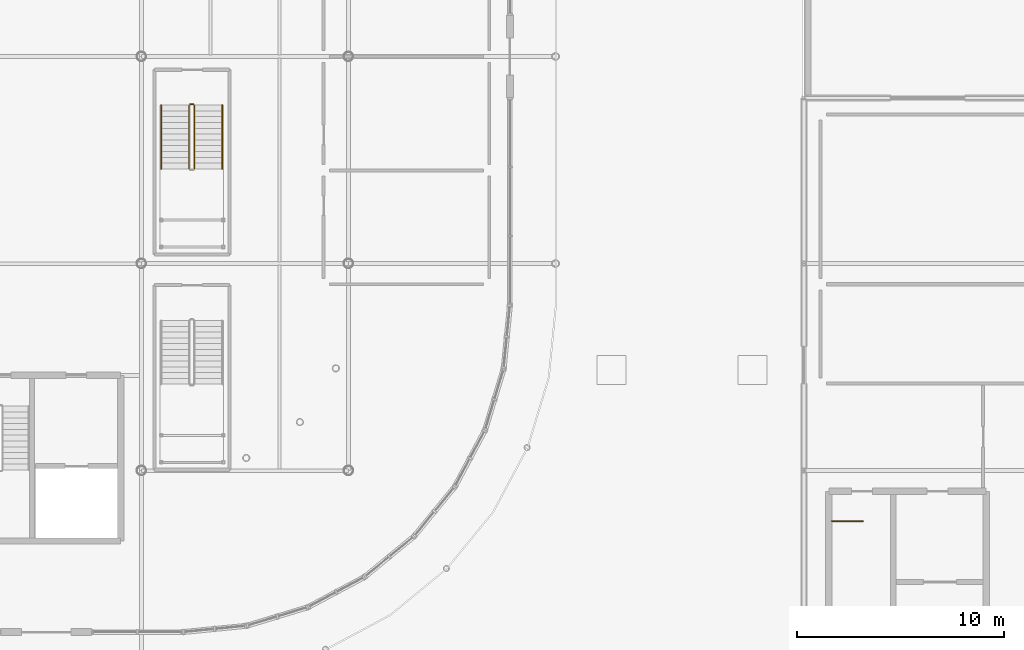
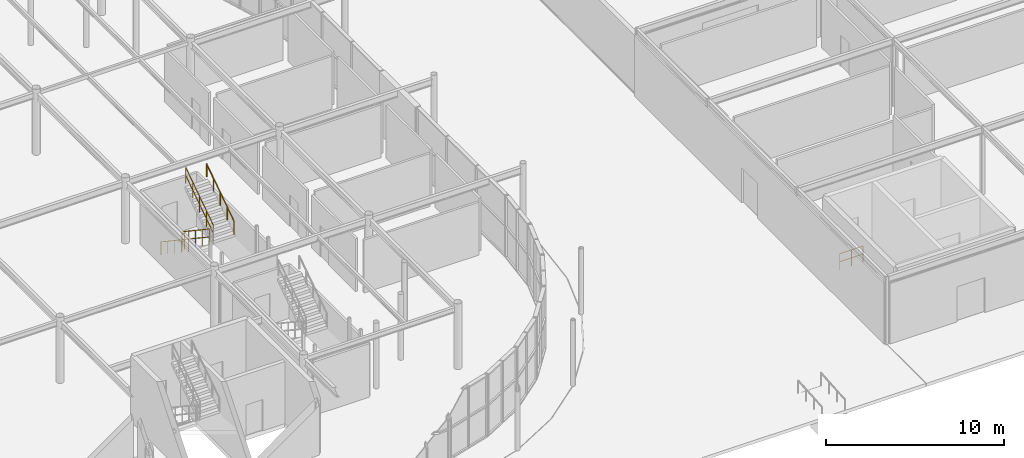
# One storey, part 113 of 119: 6 railings.
"""IFC4 building model written with IfcOpenShell, lengths in metres."""

from ifc_helpers import new_model, si_unit, derived_unit, direction, frame, origin, origin_2d_with_axis, place, context, subcontext, project, spatial, circle, extrude, material, layer, layer_set, type_object, element, save


model = new_model("IFC4")

# Units and contexts
model_context = context("Model", 3, precision=1e-05, world=origin(), true_north=direction((0.0, 1.0)))
body_context = subcontext(model_context, "Body", "Model", "MODEL_VIEW")
ifc_project = project(units=[si_unit("LENGTHUNIT", "METRE"), si_unit("AREAUNIT", "SQUARE_METRE"), si_unit("VOLUMEUNIT", "CUBIC_METRE"), si_unit("PLANEANGLEUNIT", "RADIAN"), si_unit("MASSUNIT", "GRAM", prefix="KILO"), derived_unit("THERMALTRANSMITTANCEUNIT", [(si_unit("POWERUNIT", "WATT"), 1), (si_unit("LENGTHUNIT", "METRE"), -2), (si_unit("THERMODYNAMICTEMPERATUREUNIT", "KELVIN"), -1)])], contexts=[model_context])

# Site, building, storey
site_placement = place(None, origin())
site = spatial("IfcSite", under=ifc_project, at=site_placement, CompositionType="ELEMENT")
building_placement = place(site_placement, origin())
building = spatial("IfcBuilding", under=site, at=building_placement, Name="Cinnabar Yard Market Hall", CompositionType="ELEMENT")
storey_placement = place(building_placement, origin())
storey = spatial("IfcBuildingStorey", under=building, at=storey_placement, Name="L00", CompositionType="ELEMENT", Elevation=0.0)

# Railings
ifc_material_1 = material(Name="Laminated glass and bronze handrail", Category="glass")
ifc_layer_1 = layer(ifc_material_1, 0.070068359375)
ifc_layer_set_1 = layer_set([ifc_layer_1], Name="Laminated glass and bronze handrail")
railing_type_1 = type_object("IfcRailingType", Name="RL-G01", PredefinedType="BALUSTRADE", material=ifc_layer_set_1)
railing_1_placement = place(storey_placement, frame((148.300048828125, 41.64990234375, 0.1875)))
element("IfcRailing", 1, at=railing_1_placement, inside=storey, type_object=railing_type_1, Name="L00 ST-F2 stair guard 1", PredefinedType="BALUSTRADE", context=body_context, shape_type="SweptSolid", body=[
    extrude(circle(Radius=0.02392578125, at=origin_2d_with_axis()), frame((0.0, 0.0, 1.09619140625), z_axis=(0.0, -0.830893310487, 0.556431762742), x_axis=(1.0, 0.0, 0.0)), (0.0, 0.0, 1.0), 3.70654296875),
    extrude(circle(Radius=0.02392578125, at=origin_2d_with_axis()), frame((0.0, 0.0, 0.550048828125), z_axis=(0.0, -0.830893310487, 0.556431762742), x_axis=(1.0, 0.0, 0.0)), (0.0, 0.0, 1.0), 3.70654296875),
    extrude(circle(Radius=0.02099609375, at=origin_2d_with_axis()), origin(), (0.0, 0.0, 1.0), 1.072021484375),
    extrude(circle(Radius=0.02099609375, at=origin_2d_with_axis()), frame((0.0, -0.77001953125, 0.515625)), (0.0, 0.0, 1.0), 1.072021484375),
    extrude(circle(Radius=0.02099609375, at=origin_2d_with_axis()), frame((0.0, -1.5400390625, 1.03125)), (0.0, 0.0, 1.0), 1.072021484375),
    extrude(circle(Radius=0.02099609375, at=origin_2d_with_axis()), frame((0.0, -2.309814453125, 1.546875)), (0.0, 0.0, 1.0), 1.072021484375),
    extrude(circle(Radius=0.02099609375, at=origin_2d_with_axis()), frame((0.0, -3.079833984375, 2.0625)), (0.0, 0.0, 1.0), 1.072021484375),
])
railing_2_placement = place(storey_placement, frame((148.56005859375, 38.570068359375, 2.4375)))
element("IfcRailing", 2, at=railing_2_placement, inside=storey, type_object=railing_type_1, Name="L00 ST-F2 stair guard 3", PredefinedType="BALUSTRADE", context=body_context, shape_type="SweptSolid", body=[
    extrude(circle(Radius=0.02392578125, at=origin_2d_with_axis()), frame((0.0, 0.0, 1.09619140625), z_axis=(0.0, 0.830893310487, 0.556431762742), x_axis=(-1.0, 0.0, 0.0)), (0.0, 0.0, 1.0), 3.70654296875),
    extrude(circle(Radius=0.02392578125, at=origin_2d_with_axis()), frame((0.0, 0.0, 0.550048828125), z_axis=(0.0, 0.830893310487, 0.556431762742), x_axis=(-1.0, 0.0, 0.0)), (0.0, 0.0, 1.0), 3.70654296875),
    extrude(circle(Radius=0.02099609375, at=origin_2d_with_axis()), origin(), (0.0, 0.0, 1.0), 1.072021484375),
    extrude(circle(Radius=0.02099609375, at=origin_2d_with_axis()), frame((0.0, 0.77001953125, 0.515625)), (0.0, 0.0, 1.0), 1.072021484375),
    extrude(circle(Radius=0.02099609375, at=origin_2d_with_axis()), frame((0.0, 1.5400390625, 1.03125)), (0.0, 0.0, 1.0), 1.072021484375),
    extrude(circle(Radius=0.02099609375, at=origin_2d_with_axis()), frame((0.0, 2.309814453125, 1.546875)), (0.0, 0.0, 1.0), 1.072021484375),
    extrude(circle(Radius=0.02099609375, at=origin_2d_with_axis()), frame((0.0, 3.079833984375, 2.0625)), (0.0, 0.0, 1.0), 1.072021484375),
])
railing_3_placement = place(storey_placement, frame((148.35009765625, 41.699951171875, 0.0)))
element("IfcRailing", 3, at=railing_3_placement, inside=storey, type_object=railing_type_1, Name="L00 ST-F2 stair guard 4", PredefinedType="BALUSTRADE", context=body_context, shape_type="SweptSolid", body=[
    extrude(circle(Radius=0.02392578125, at=origin_2d_with_axis()), frame((0.0, 0.0, 1.09619140625), z_axis=(1.0, 0.0, 0.0), x_axis=(0.0, 1.0, 0.0)), (0.0, 0.0, 1.0), 0.159912109375),
    extrude(circle(Radius=0.02392578125, at=origin_2d_with_axis()), frame((0.0, 0.0, 0.550048828125), z_axis=(1.0, 0.0, 0.0), x_axis=(0.0, 1.0, 0.0)), (0.0, 0.0, 1.0), 0.159912109375),
    extrude(circle(Radius=0.02099609375, at=origin_2d_with_axis()), origin(), (0.0, 0.0, 1.0), 1.072021484375),
    extrude(circle(Radius=0.02099609375, at=origin_2d_with_axis()), frame((0.159912109375, 0.0, 0.0)), (0.0, 0.0, 1.0), 1.072021484375),
])
ifc_material_2 = material(Name="Galvanised steel Grade 300 (300 MPa) guardrail", Category="steel")
ifc_layer_2 = layer(ifc_material_2, 0.06005859375)
ifc_layer_set_2 = layer_set([ifc_layer_2], Name="Galvanised steel Grade 300 (300 MPa) guardrail")
railing_type_2 = type_object("IfcRailingType", Name="RL-G03", PredefinedType="GUARDRAIL", material=ifc_layer_set_2)
railing_4_placement = place(storey_placement, frame((179.340087890625, 21.56005859375, 0.0)))
element("IfcRailing", 4, at=railing_4_placement, inside=storey, type_object=railing_type_2, Name="L00 ST-C8 top well guard 1", PredefinedType="GUARDRAIL", context=body_context, shape_type="SweptSolid", body=[
    extrude(circle(Radius=0.02392578125, at=origin_2d_with_axis()), frame((0.0, 0.0, 1.09619140625), z_axis=(1.0, 0.0, 0.0), x_axis=(0.0, 1.0, 0.0)), (0.0, 0.0, 1.0), 1.510009765625),
    extrude(circle(Radius=0.02392578125, at=origin_2d_with_axis()), frame((0.0, 0.0, 0.550048828125), z_axis=(1.0, 0.0, 0.0), x_axis=(0.0, 1.0, 0.0)), (0.0, 0.0, 1.0), 1.510009765625),
    extrude(circle(Radius=0.02099609375, at=origin_2d_with_axis()), origin(), (0.0, 0.0, 1.0), 1.072021484375),
    extrude(circle(Radius=0.02099609375, at=origin_2d_with_axis()), frame((0.7548828125, 0.0, 0.0)), (0.0, 0.0, 1.0), 1.072021484375),
    extrude(circle(Radius=0.02099609375, at=origin_2d_with_axis()), frame((1.510009765625, 0.0, 0.0)), (0.0, 0.0, 1.0), 1.072021484375),
])
ifc_material_3 = material(Name="Brushed stainless steel handrail", Category="steel")
ifc_layer_3 = layer(ifc_material_3, 0.050048828125)
ifc_layer_set_3 = layer_set([ifc_layer_3], Name="Brushed stainless steel handrail")
railing_type_3 = type_object("IfcRailingType", Name="RL-HR1", PredefinedType="HANDRAIL", material=ifc_layer_set_3)
railing_5_placement = place(storey_placement, frame((146.949951171875, 41.64990234375, 0.1875)))
element("IfcRailing", 5, at=railing_5_placement, inside=storey, type_object=railing_type_3, Name="L00 ST-F2 stair handrail 1", PredefinedType="HANDRAIL", context=body_context, shape_type="SweptSolid", body=[
    extrude(circle(Radius=0.02392578125, at=origin_2d_with_axis()), frame((0.0, 0.0, 0.8759765625), z_axis=(0.0, -0.830893310487, 0.556431762742), x_axis=(1.0, 0.0, 0.0)), (0.0, 0.0, 1.0), 3.70654296875),
    extrude(circle(Radius=0.02099609375, at=origin_2d_with_axis()), origin(), (0.0, 0.0, 1.0), 0.851806640625),
    extrude(circle(Radius=0.02099609375, at=origin_2d_with_axis()), frame((0.0, -0.77001953125, 0.515625)), (0.0, 0.0, 1.0), 0.851806640625),
    extrude(circle(Radius=0.02099609375, at=origin_2d_with_axis()), frame((0.0, -1.5400390625, 1.03125)), (0.0, 0.0, 1.0), 0.851806640625),
    extrude(circle(Radius=0.02099609375, at=origin_2d_with_axis()), frame((0.0, -2.309814453125, 1.546875)), (0.0, 0.0, 1.0), 0.851806640625),
    extrude(circle(Radius=0.02099609375, at=origin_2d_with_axis()), frame((0.0, -3.079833984375, 2.0625)), (0.0, 0.0, 1.0), 0.851806640625),
])
railing_6_placement = place(storey_placement, frame((149.909912109375, 38.570068359375, 2.4375)))
element("IfcRailing", 6, at=railing_6_placement, inside=storey, type_object=railing_type_3, Name="L00 ST-F2 stair handrail 2", PredefinedType="HANDRAIL", context=body_context, shape_type="SweptSolid", body=[
    extrude(circle(Radius=0.02392578125, at=origin_2d_with_axis()), frame((0.0, 0.0, 0.8759765625), z_axis=(0.0, 0.830893310487, 0.556431762742), x_axis=(-1.0, 0.0, 0.0)), (0.0, 0.0, 1.0), 3.70654296875),
    extrude(circle(Radius=0.02099609375, at=origin_2d_with_axis()), origin(), (0.0, 0.0, 1.0), 0.851806640625),
    extrude(circle(Radius=0.02099609375, at=origin_2d_with_axis()), frame((0.0, 0.77001953125, 0.515625)), (0.0, 0.0, 1.0), 0.851806640625),
    extrude(circle(Radius=0.02099609375, at=origin_2d_with_axis()), frame((0.0, 1.5400390625, 1.03125)), (0.0, 0.0, 1.0), 0.851806640625),
    extrude(circle(Radius=0.02099609375, at=origin_2d_with_axis()), frame((0.0, 2.309814453125, 1.546875)), (0.0, 0.0, 1.0), 0.851806640625),
    extrude(circle(Radius=0.02099609375, at=origin_2d_with_axis()), frame((0.0, 3.079833984375, 2.0625)), (0.0, 0.0, 1.0), 0.851806640625),
])

save(model, "model.ifc")
